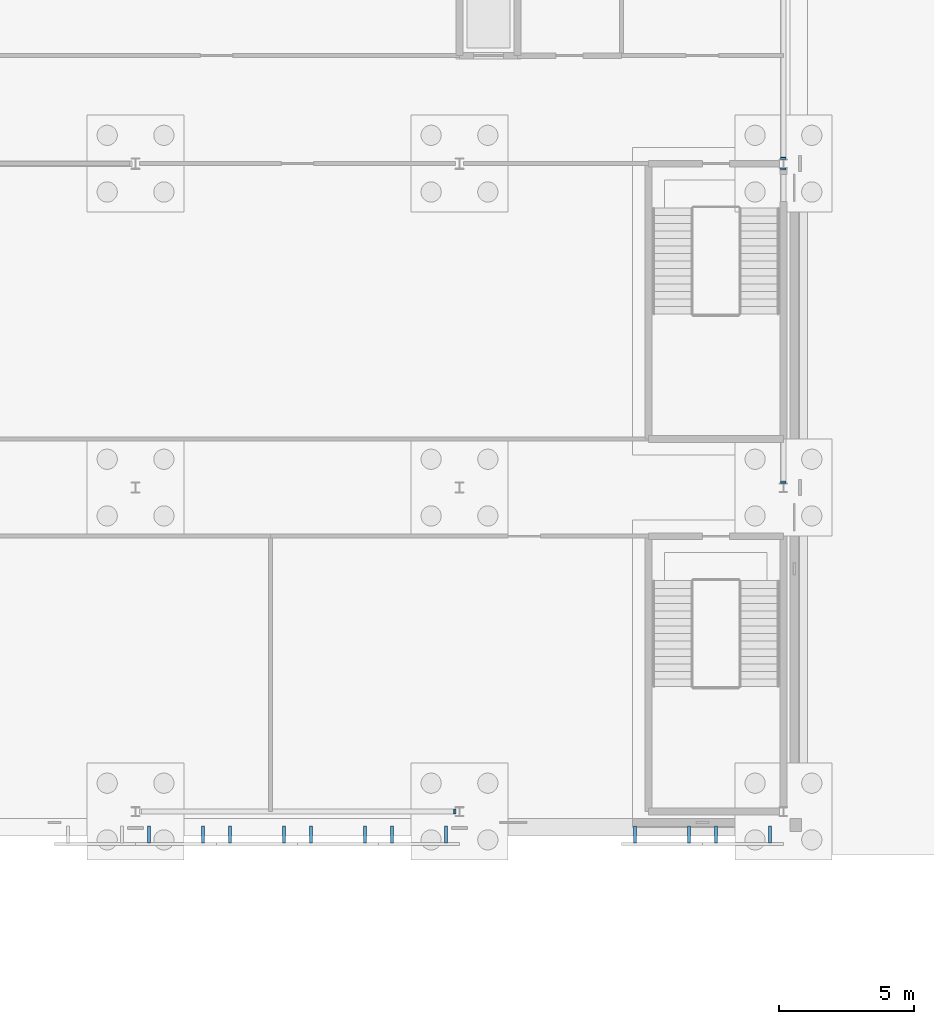
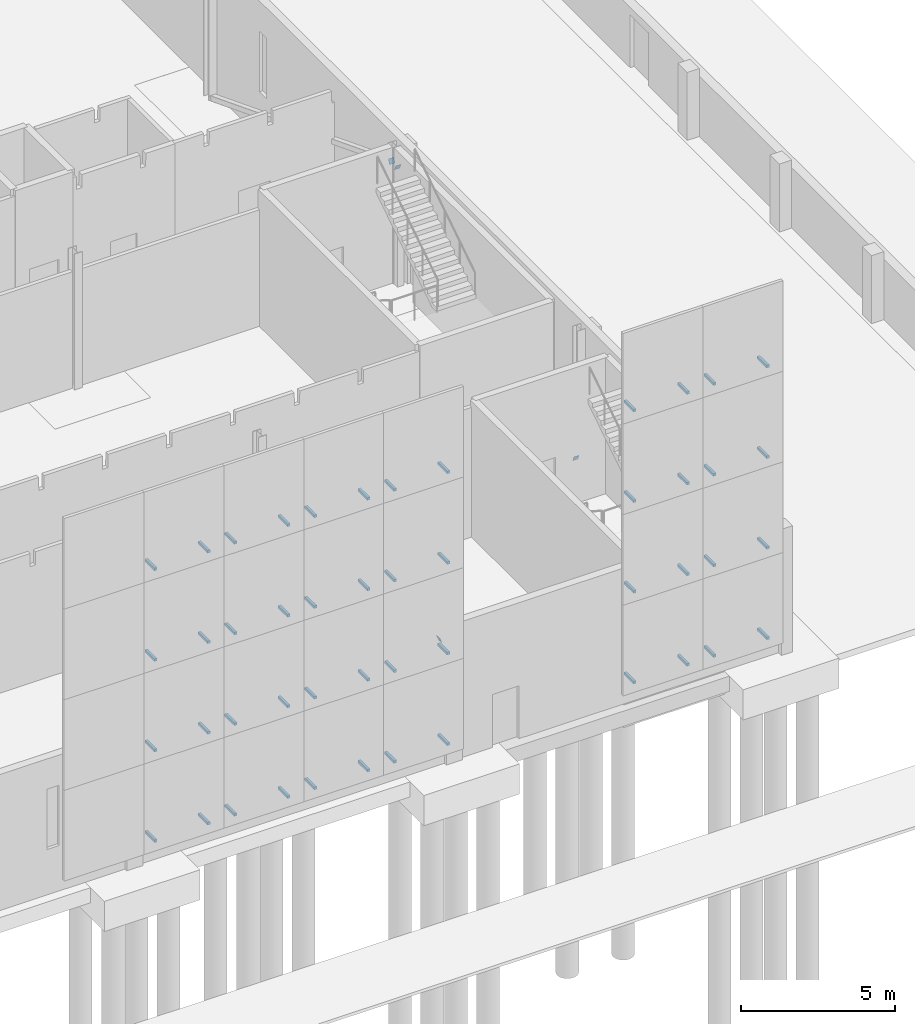
# One storey, part 118 of 132: 52 discrete accessories.
"""IFC4 building model written with IfcOpenShell, lengths in metres."""

from ifc_helpers import new_model, si_unit, direction, frame, origin, origin_2d, place, context, subcontext, project, spatial, rectangle, extrude, material, material_profile, profile_set, type_object, element, save


model = new_model("IFC4")

# Units and contexts
model_context = context("Model", 3, precision=1e-05, world=origin(), true_north=direction((0.0, 1.0)))
body_context = subcontext(model_context, "Body", "Model", "MODEL_VIEW")
ifc_project = project(units=[si_unit("LENGTHUNIT", "METRE"), si_unit("AREAUNIT", "SQUARE_METRE"), si_unit("VOLUMEUNIT", "CUBIC_METRE"), si_unit("PLANEANGLEUNIT", "RADIAN"), si_unit("MASSUNIT", "GRAM", prefix="KILO")], contexts=[model_context])

# Site, building, storey
site_placement = place(None, origin())
site = spatial("IfcSite", under=ifc_project, at=site_placement, CompositionType="ELEMENT")
building_placement = place(site_placement, origin())
building = spatial("IfcBuilding", under=site, at=building_placement, Name="Ravi Spectrum Wholesale Market", CompositionType="ELEMENT")
storey_placement = place(building_placement, origin())
storey = spatial("IfcBuildingStorey", under=building, at=storey_placement, Name="L00", CompositionType="ELEMENT", Elevation=0.0)

# Discrete accessories
ifc_material_1 = material(Name="Steel S355", Category="steel")
ifc_material_profile = material_profile(ifc_material_1, rectangle(XDim=0.199951171875, YDim=0.199951171875, at=origin_2d()))
ifc_profile_set = profile_set([ifc_material_profile], Name="Steel S355")
discrete_accessory_type_1 = type_object("IfcDiscreteAccessoryType", Name="End plate SHS 200x200x8", PredefinedType="BRACKET", material=ifc_profile_set)
for number, where, z_axis, x_axis, name in (
    (1, (269.814208984375, 18.0, 4.556640625), (0.931242779706, 0.0, 0.364399348581), (0.0, 1.0, 0.0), "End plate"),
    (2, (282.0, 30.206298828125, 0.09326171875), (0.0, -0.931242779706, -0.364399348581), (1.0, 0.0, 0.0), "End plate"),
    (3, (282.0, 41.793701171875, 4.60693359375), (0.0, 0.937994498829, 0.346650140872), (-1.0, 0.0, 0.0), "End plate"),
    (4, (282.0, 42.206298828125, 4.60693359375), (0.0, -0.937994498829, 0.346650140872), (1.0, 0.0, 0.0), "End plate"),
):
    element("IfcDiscreteAccessory", number, at=place(storey_placement, frame(where, z_axis=z_axis, x_axis=x_axis)), inside=storey, type_object=discrete_accessory_type_1, Name=name, PredefinedType="BRACKET", context=body_context, shape_type="SweptSolid", body=[
        extrude(rectangle(XDim=0.199951171875, YDim=0.199951171875, at=origin_2d()), origin(), (0.0, 0.0, 1.0), 0.011962890625),
    ])
ifc_material_2 = material(Name="Steel S355", Category="steel")
discrete_accessory_type_2 = type_object("IfcDiscreteAccessoryType", Name="Steel angle bracket 100 x 115", PredefinedType="BRACKET", material=ifc_material_2)
for number, where, z_axis, x_axis, name in (
    (5, (258.5, 17.14990234375, 1.14990234375), (0.0, 0.0, 1.0), (1.0, 0.0, 0.0), "Screen bracket"),
    (6, (260.5, 17.14990234375, 1.14990234375), (0.0, 0.0, 1.0), (1.0, 0.0, 0.0), "Screen bracket"),
    (7, (258.5, 17.14990234375, 4.75), (0.0, 0.0, 1.0), (1.0, 0.0, 0.0), "Screen bracket"),
    (8, (260.5, 17.14990234375, 4.75), (0.0, 0.0, 1.0), (1.0, 0.0, 0.0), "Screen bracket"),
    (9, (258.5, 17.14990234375, 8.349853515625), (0.0, 0.0, 1.0), (1.0, 0.0, 0.0), "Screen bracket"),
    (10, (260.5, 17.14990234375, 8.349853515625), (0.0, 0.0, 1.0), (1.0, 0.0, 0.0), "Screen bracket"),
    (11, (258.5, 17.14990234375, 11.949951171875), (0.0, 0.0, 1.0), (1.0, 0.0, 0.0), "Screen bracket"),
    (12, (260.5, 17.14990234375, 11.949951171875), (0.0, 0.0, 1.0), (1.0, 0.0, 0.0), "Screen bracket"),
    (13, (261.5, 17.14990234375, 1.14990234375), (0.0, 0.0, 1.0), (1.0, 0.0, 0.0), "Screen bracket"),
    (14, (263.5, 17.14990234375, 1.14990234375), (0.0, 0.0, 1.0), (1.0, 0.0, 0.0), "Screen bracket"),
    (15, (261.5, 17.14990234375, 4.75), (0.0, 0.0, 1.0), (1.0, 0.0, 0.0), "Screen bracket"),
    (16, (263.5, 17.14990234375, 4.75), (0.0, 0.0, 1.0), (1.0, 0.0, 0.0), "Screen bracket"),
    (17, (261.5, 17.14990234375, 8.349853515625), (0.0, 0.0, 1.0), (1.0, 0.0, 0.0), "Screen bracket"),
    (18, (263.5, 17.14990234375, 8.349853515625), (0.0, 0.0, 1.0), (1.0, 0.0, 0.0), "Screen bracket"),
    (19, (261.5, 17.14990234375, 11.949951171875), (0.0, 0.0, 1.0), (1.0, 0.0, 0.0), "Screen bracket"),
    (20, (263.5, 17.14990234375, 11.949951171875), (0.0, 0.0, 1.0), (1.0, 0.0, 0.0), "Screen bracket"),
    (21, (264.5, 17.14990234375, 1.14990234375), (0.0, 0.0, 1.0), (1.0, 0.0, 0.0), "Screen bracket"),
    (22, (266.5, 17.14990234375, 1.14990234375), (0.0, 0.0, 1.0), (1.0, 0.0, 0.0), "Screen bracket"),
    (23, (264.5, 17.14990234375, 4.75), (0.0, 0.0, 1.0), (1.0, 0.0, 0.0), "Screen bracket"),
    (24, (266.5, 17.14990234375, 4.75), (0.0, 0.0, 1.0), (1.0, 0.0, 0.0), "Screen bracket"),
    (25, (264.5, 17.14990234375, 8.349853515625), (0.0, 0.0, 1.0), (1.0, 0.0, 0.0), "Screen bracket"),
    (26, (266.5, 17.14990234375, 8.349853515625), (0.0, 0.0, 1.0), (1.0, 0.0, 0.0), "Screen bracket"),
    (27, (264.5, 17.14990234375, 11.949951171875), (0.0, 0.0, 1.0), (1.0, 0.0, 0.0), "Screen bracket"),
    (28, (266.5, 17.14990234375, 11.949951171875), (0.0, 0.0, 1.0), (1.0, 0.0, 0.0), "Screen bracket"),
    (29, (267.5, 17.14990234375, 1.14990234375), (0.0, 0.0, 1.0), (1.0, 0.0, 0.0), "Screen bracket"),
    (30, (269.5, 17.14990234375, 1.14990234375), (0.0, 0.0, 1.0), (1.0, 0.0, 0.0), "Screen bracket"),
    (31, (267.5, 17.14990234375, 4.75), (0.0, 0.0, 1.0), (1.0, 0.0, 0.0), "Screen bracket"),
    (32, (269.5, 17.14990234375, 4.75), (0.0, 0.0, 1.0), (1.0, 0.0, 0.0), "Screen bracket"),
    (33, (267.5, 17.14990234375, 8.349853515625), (0.0, 0.0, 1.0), (1.0, 0.0, 0.0), "Screen bracket"),
    (34, (269.5, 17.14990234375, 8.349853515625), (0.0, 0.0, 1.0), (1.0, 0.0, 0.0), "Screen bracket"),
    (35, (267.5, 17.14990234375, 11.949951171875), (0.0, 0.0, 1.0), (1.0, 0.0, 0.0), "Screen bracket"),
    (36, (269.5, 17.14990234375, 11.949951171875), (0.0, 0.0, 1.0), (1.0, 0.0, 0.0), "Screen bracket"),
    (37, (276.5, 17.14990234375, 1.14990234375), (0.0, 0.0, 1.0), (1.0, 0.0, 0.0), "Screen bracket"),
    (38, (278.5, 17.14990234375, 1.14990234375), (0.0, 0.0, 1.0), (1.0, 0.0, 0.0), "Screen bracket"),
    (39, (276.5, 17.14990234375, 4.75), (0.0, 0.0, 1.0), (1.0, 0.0, 0.0), "Screen bracket"),
    (40, (278.5, 17.14990234375, 4.75), (0.0, 0.0, 1.0), (1.0, 0.0, 0.0), "Screen bracket"),
    (41, (276.5, 17.14990234375, 8.349853515625), (0.0, 0.0, 1.0), (1.0, 0.0, 0.0), "Screen bracket"),
    (42, (278.5, 17.14990234375, 8.349853515625), (0.0, 0.0, 1.0), (1.0, 0.0, 0.0), "Screen bracket"),
    (43, (276.5, 17.14990234375, 11.949951171875), (0.0, 0.0, 1.0), (1.0, 0.0, 0.0), "Screen bracket"),
    (44, (278.5, 17.14990234375, 11.949951171875), (0.0, 0.0, 1.0), (1.0, 0.0, 0.0), "Screen bracket"),
    (45, (279.5, 17.14990234375, 1.14990234375), (0.0, 0.0, 1.0), (1.0, 0.0, 0.0), "Screen bracket"),
    (46, (281.5, 17.14990234375, 1.14990234375), (0.0, 0.0, 1.0), (1.0, 0.0, 0.0), "Screen bracket"),
    (47, (279.5, 17.14990234375, 4.75), (0.0, 0.0, 1.0), (1.0, 0.0, 0.0), "Screen bracket"),
    (48, (281.5, 17.14990234375, 4.75), (0.0, 0.0, 1.0), (1.0, 0.0, 0.0), "Screen bracket"),
    (49, (279.5, 17.14990234375, 8.349853515625), (0.0, 0.0, 1.0), (1.0, 0.0, 0.0), "Screen bracket"),
    (50, (281.5, 17.14990234375, 8.349853515625), (0.0, 0.0, 1.0), (1.0, 0.0, 0.0), "Screen bracket"),
    (51, (279.5, 17.14990234375, 11.949951171875), (0.0, 0.0, 1.0), (1.0, 0.0, 0.0), "Screen bracket"),
    (52, (281.5, 17.14990234375, 11.949951171875), (0.0, 0.0, 1.0), (1.0, 0.0, 0.0), "Screen bracket"),
):
    element("IfcDiscreteAccessory", number, at=place(storey_placement, frame(where, z_axis=z_axis, x_axis=x_axis)), inside=storey, type_object=discrete_accessory_type_2, Name=name, PredefinedType="BRACKET", context=body_context, shape_type="SweptSolid", body=[
        extrude(rectangle(XDim=0.10009765625, YDim=0.6201171875, at=origin_2d()), origin(), (0.0, 0.0, 1.0), 0.10009765625),
    ])

save(model, "model.ifc")
